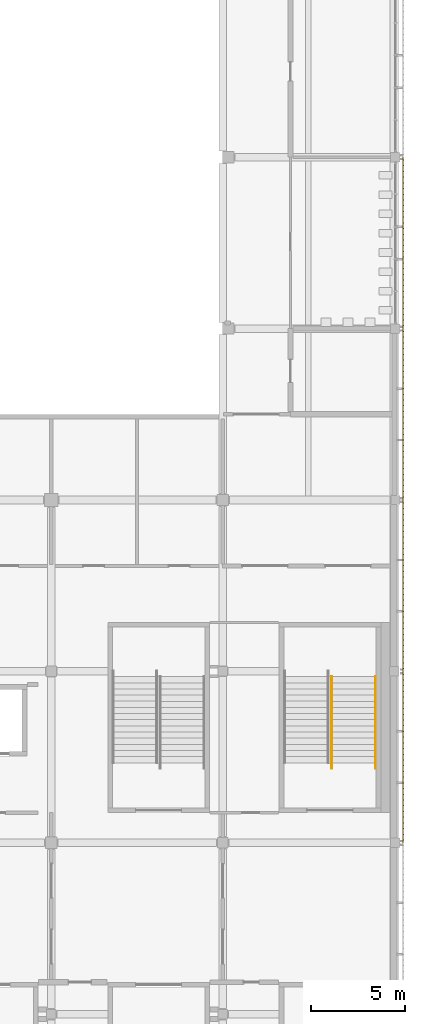
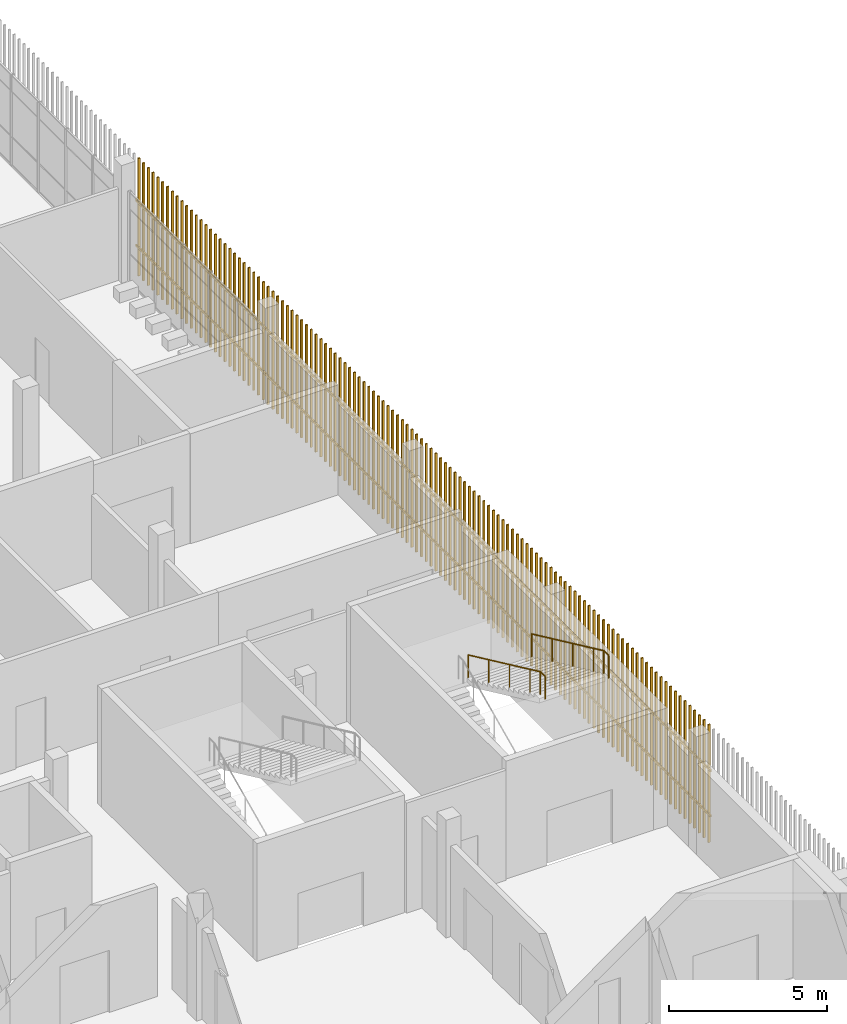
# One storey, part 118 of 124: 4 shading devices, 2 railings.
"""IFC4 building model written with IfcOpenShell, lengths in metres."""

from ifc_helpers import new_model, si_unit, direction, frame, origin, origin_2d, place, context, subcontext, project, spatial, rectangle, circle, extrude, material, type_object, element, save


model = new_model("IFC4")

# Units and contexts
model_context = context("Model", 3, precision=1e-05, world=origin(), true_north=direction((0.0, 1.0)))
body_context = subcontext(model_context, "Body", "Model", "MODEL_VIEW")
ifc_project = project(units=[si_unit("LENGTHUNIT", "METRE"), si_unit("AREAUNIT", "SQUARE_METRE"), si_unit("VOLUMEUNIT", "CUBIC_METRE"), si_unit("PLANEANGLEUNIT", "RADIAN"), si_unit("MASSUNIT", "GRAM", prefix="KILO")], contexts=[model_context])

# Site, building, storey
site_placement = place(None, origin())
site = spatial("IfcSite", under=ifc_project, at=site_placement, CompositionType="ELEMENT")
building_placement = place(site_placement, origin())
building = spatial("IfcBuilding", under=site, at=building_placement, Name="Shirokan Park Arena", CompositionType="ELEMENT")
storey_placement = place(building_placement, frame((0.0, 0.0, 20.02001953125)))
storey = spatial("IfcBuildingStorey", under=building, at=storey_placement, Name="L04", CompositionType="ELEMENT", Elevation=20.02001953125)

# Railings
ifc_material_1 = material(Name="Stainless steel", Category="steel")
railing_type = type_object("IfcRailingType", Name="Stair handrail 900", PredefinedType="HANDRAIL", material=ifc_material_1)
railing_1_placement = place(storey_placement, frame((142.2900390625, 27.023681640625, 2.4267578125)))
element("IfcRailing", 1, at=railing_1_placement, inside=storey, type_object=railing_type, Name="Handrail Exit Stair 2.E L04 to L05", PredefinedType="HANDRAIL", context=body_context, shape_type="SweptSolid", body=[
    extrude(circle(Radius=0.02392578125, at=origin_2d()), frame((0.0, 0.0, 0.8759765625), z_axis=(0.0, -0.907064445915, 0.420991794405), x_axis=(1.0, 0.0, 0.0)), (0.0, 0.0, 1.0), 1.4404296875),
    extrude(circle(Radius=0.02392578125, at=origin_2d()), frame((0.0, -1.306640625, 1.482421875), z_axis=(0.0, -0.907029769225, 0.421066500378), x_axis=(1.0, 0.0, 0.0)), (0.0, 0.0, 1.0), 1.44091796875),
    extrude(circle(Radius=0.02392578125, at=origin_2d()), frame((0.0, -2.613525390625, 2.0888671875), z_axis=(0.0, -0.906999720516, 0.421131222998), x_axis=(1.0, 0.0, 0.0)), (0.0, 0.0, 1.0), 1.440673828125),
    extrude(circle(Radius=0.02392578125, at=origin_2d()), frame((0.0, -3.920166015625, 2.69580078125), z_axis=(0.0, -0.906995101989, 0.421141169881), x_axis=(1.0, 0.0, 0.0)), (0.0, 0.0, 1.0), 0.720703125),
    extrude(circle(Radius=0.02392578125, at=origin_2d()), frame((0.0, -4.57373046875, 2.9990234375), z_axis=(0.0, -1.0, 0.0), x_axis=(1.0, 0.0, 0.0)), (0.0, 0.0, 1.0), 0.300048828125),
    extrude(circle(Radius=0.02099609375, at=origin_2d()), origin(), (0.0, 0.0, 1.0), 0.851806640625),
    extrude(circle(Radius=0.02099609375, at=origin_2d()), frame((0.0, -1.306640625, 0.6064453125)), (0.0, 0.0, 1.0), 0.851806640625),
    extrude(circle(Radius=0.02099609375, at=origin_2d()), frame((0.0, -2.613525390625, 1.213134765625)), (0.0, 0.0, 1.0), 0.851806640625),
    extrude(circle(Radius=0.02099609375, at=origin_2d()), frame((0.0, -3.920166015625, 1.81982421875)), (0.0, 0.0, 1.0), 0.851806640625),
    extrude(circle(Radius=0.02099609375, at=origin_2d()), frame((0.0, -4.57373046875, 2.123291015625)), (0.0, 0.0, 1.0), 0.851806640625),
    extrude(circle(Radius=0.02099609375, at=origin_2d()), frame((0.0, -4.873779296875, 2.123291015625)), (0.0, 0.0, 1.0), 0.851806640625),
])
railing_2_placement = place(storey_placement, frame((144.610107421875, 27.023681640625, 2.4267578125)))
element("IfcRailing", 2, at=railing_2_placement, inside=storey, type_object=railing_type, Name="Handrail Exit Stair 2.E L04 to L05", PredefinedType="HANDRAIL", context=body_context, shape_type="SweptSolid", body=[
    extrude(circle(Radius=0.02392578125, at=origin_2d()), frame((0.0, 0.0, 0.8759765625), z_axis=(0.0, -0.907064445915, 0.420991794405), x_axis=(1.0, 0.0, 0.0)), (0.0, 0.0, 1.0), 1.4404296875),
    extrude(circle(Radius=0.02392578125, at=origin_2d()), frame((0.0, -1.306640625, 1.482421875), z_axis=(0.0, -0.907029769225, 0.421066500378), x_axis=(1.0, 0.0, 0.0)), (0.0, 0.0, 1.0), 1.44091796875),
    extrude(circle(Radius=0.02392578125, at=origin_2d()), frame((0.0, -2.613525390625, 2.0888671875), z_axis=(0.0, -0.906999720516, 0.421131222998), x_axis=(1.0, 0.0, 0.0)), (0.0, 0.0, 1.0), 1.440673828125),
    extrude(circle(Radius=0.02392578125, at=origin_2d()), frame((0.0, -3.920166015625, 2.69580078125), z_axis=(0.0, -0.906995101989, 0.421141169881), x_axis=(1.0, 0.0, 0.0)), (0.0, 0.0, 1.0), 0.720703125),
    extrude(circle(Radius=0.02392578125, at=origin_2d()), frame((0.0, -4.57373046875, 2.9990234375), z_axis=(0.0, -1.0, 0.0), x_axis=(1.0, 0.0, 0.0)), (0.0, 0.0, 1.0), 0.300048828125),
    extrude(circle(Radius=0.02099609375, at=origin_2d()), origin(), (0.0, 0.0, 1.0), 0.851806640625),
    extrude(circle(Radius=0.02099609375, at=origin_2d()), frame((0.0, -1.306640625, 0.6064453125)), (0.0, 0.0, 1.0), 0.851806640625),
    extrude(circle(Radius=0.02099609375, at=origin_2d()), frame((0.0, -2.613525390625, 1.213134765625)), (0.0, 0.0, 1.0), 0.851806640625),
    extrude(circle(Radius=0.02099609375, at=origin_2d()), frame((0.0, -3.920166015625, 1.81982421875)), (0.0, 0.0, 1.0), 0.851806640625),
    extrude(circle(Radius=0.02099609375, at=origin_2d()), frame((0.0, -4.57373046875, 2.123291015625)), (0.0, 0.0, 1.0), 0.851806640625),
    extrude(circle(Radius=0.02099609375, at=origin_2d()), frame((0.0, -4.873779296875, 2.123291015625)), (0.0, 0.0, 1.0), 0.851806640625),
])

# Shading devices
ifc_material_2 = material(Name="Timber louvre veil (cedar)", Category="wood")
shading_device_type = type_object("IfcShadingDeviceType", Name="Timber louvre veil panel", PredefinedType="JALOUSIE", material=ifc_material_2)
shading_device_1_placement = place(storey_placement, origin())
element("IfcShadingDevice", 3, at=shading_device_1_placement, inside=storey, type_object=shading_device_type, Name="Timber louvre veil east bay 3 L04", PredefinedType="JALOUSIE", context=body_context, shape_type="SweptSolid", body=[
    extrude(rectangle(XDim=0.050048828125, YDim=0.080078125, at=origin_2d()), frame((146.0849609375, 18.3515625, 0.0), z_axis=(0.0, 0.0, 1.0), x_axis=(0.0, 1.0, 0.0)), (0.0, 0.0, 1.0), 4.550048828125),
    extrude(rectangle(XDim=0.050048828125, YDim=0.080078125, at=origin_2d()), frame((146.0849609375, 18.655029296875, 0.0), z_axis=(0.0, 0.0, 1.0), x_axis=(0.0, 1.0, 0.0)), (0.0, 0.0, 1.0), 4.550048828125),
    extrude(rectangle(XDim=0.050048828125, YDim=0.080078125, at=origin_2d()), frame((146.0849609375, 18.958251953125, 0.0), z_axis=(0.0, 0.0, 1.0), x_axis=(0.0, 1.0, 0.0)), (0.0, 0.0, 1.0), 4.550048828125),
    extrude(rectangle(XDim=0.050048828125, YDim=0.080078125, at=origin_2d()), frame((146.0849609375, 19.26171875, 0.0), z_axis=(0.0, 0.0, 1.0), x_axis=(0.0, 1.0, 0.0)), (0.0, 0.0, 1.0), 4.550048828125),
    extrude(rectangle(XDim=0.050048828125, YDim=0.080078125, at=origin_2d()), frame((146.0849609375, 19.56494140625, 0.0), z_axis=(0.0, 0.0, 1.0), x_axis=(0.0, 1.0, 0.0)), (0.0, 0.0, 1.0), 4.550048828125),
    extrude(rectangle(XDim=0.050048828125, YDim=0.080078125, at=origin_2d()), frame((146.0849609375, 19.868408203125, 0.0), z_axis=(0.0, 0.0, 1.0), x_axis=(0.0, 1.0, 0.0)), (0.0, 0.0, 1.0), 4.550048828125),
    extrude(rectangle(XDim=0.050048828125, YDim=0.080078125, at=origin_2d()), frame((146.0849609375, 20.171630859375, 0.0), z_axis=(0.0, 0.0, 1.0), x_axis=(0.0, 1.0, 0.0)), (0.0, 0.0, 1.0), 4.550048828125),
    extrude(rectangle(XDim=0.050048828125, YDim=0.080078125, at=origin_2d()), frame((146.0849609375, 20.47509765625, 0.0), z_axis=(0.0, 0.0, 1.0), x_axis=(0.0, 1.0, 0.0)), (0.0, 0.0, 1.0), 4.550048828125),
    extrude(rectangle(XDim=0.050048828125, YDim=0.080078125, at=origin_2d()), frame((146.0849609375, 20.7783203125, 0.0), z_axis=(0.0, 0.0, 1.0), x_axis=(0.0, 1.0, 0.0)), (0.0, 0.0, 1.0), 4.550048828125),
    extrude(rectangle(XDim=0.050048828125, YDim=0.080078125, at=origin_2d()), frame((146.0849609375, 21.081787109375, 0.0), z_axis=(0.0, 0.0, 1.0), x_axis=(0.0, 1.0, 0.0)), (0.0, 0.0, 1.0), 4.550048828125),
    extrude(rectangle(XDim=0.050048828125, YDim=0.080078125, at=origin_2d()), frame((146.0849609375, 21.385009765625, 0.0), z_axis=(0.0, 0.0, 1.0), x_axis=(0.0, 1.0, 0.0)), (0.0, 0.0, 1.0), 4.550048828125),
    extrude(rectangle(XDim=0.050048828125, YDim=0.080078125, at=origin_2d()), frame((146.0849609375, 21.688232421875, 0.0), z_axis=(0.0, 0.0, 1.0), x_axis=(0.0, 1.0, 0.0)), (0.0, 0.0, 1.0), 4.550048828125),
    extrude(rectangle(XDim=0.050048828125, YDim=0.080078125, at=origin_2d()), frame((146.0849609375, 21.99169921875, 0.0), z_axis=(0.0, 0.0, 1.0), x_axis=(0.0, 1.0, 0.0)), (0.0, 0.0, 1.0), 4.550048828125),
    extrude(rectangle(XDim=0.050048828125, YDim=0.080078125, at=origin_2d()), frame((146.0849609375, 22.294921875, 0.0), z_axis=(0.0, 0.0, 1.0), x_axis=(0.0, 1.0, 0.0)), (0.0, 0.0, 1.0), 4.550048828125),
    extrude(rectangle(XDim=0.050048828125, YDim=0.080078125, at=origin_2d()), frame((146.0849609375, 22.598388671875, 0.0), z_axis=(0.0, 0.0, 1.0), x_axis=(0.0, 1.0, 0.0)), (0.0, 0.0, 1.0), 4.550048828125),
    extrude(rectangle(XDim=0.050048828125, YDim=0.080078125, at=origin_2d()), frame((146.0849609375, 22.901611328125, 0.0), z_axis=(0.0, 0.0, 1.0), x_axis=(0.0, 1.0, 0.0)), (0.0, 0.0, 1.0), 4.550048828125),
    extrude(rectangle(XDim=0.050048828125, YDim=0.080078125, at=origin_2d()), frame((146.0849609375, 23.205078125, 0.0), z_axis=(0.0, 0.0, 1.0), x_axis=(0.0, 1.0, 0.0)), (0.0, 0.0, 1.0), 4.550048828125),
    extrude(rectangle(XDim=0.050048828125, YDim=0.080078125, at=origin_2d()), frame((146.0849609375, 23.50830078125, 0.0), z_axis=(0.0, 0.0, 1.0), x_axis=(0.0, 1.0, 0.0)), (0.0, 0.0, 1.0), 4.550048828125),
    extrude(rectangle(XDim=0.050048828125, YDim=0.080078125, at=origin_2d()), frame((146.0849609375, 23.811767578125, 0.0), z_axis=(0.0, 0.0, 1.0), x_axis=(0.0, 1.0, 0.0)), (0.0, 0.0, 1.0), 4.550048828125),
    extrude(rectangle(XDim=0.050048828125, YDim=0.080078125, at=origin_2d()), frame((146.0849609375, 24.114990234375, 0.0), z_axis=(0.0, 0.0, 1.0), x_axis=(0.0, 1.0, 0.0)), (0.0, 0.0, 1.0), 4.550048828125),
    extrude(rectangle(XDim=0.050048828125, YDim=0.080078125, at=origin_2d()), frame((146.0849609375, 24.418212890625, 0.0), z_axis=(0.0, 0.0, 1.0), x_axis=(0.0, 1.0, 0.0)), (0.0, 0.0, 1.0), 4.550048828125),
    extrude(rectangle(XDim=0.050048828125, YDim=0.080078125, at=origin_2d()), frame((146.0849609375, 24.7216796875, 0.0), z_axis=(0.0, 0.0, 1.0), x_axis=(0.0, 1.0, 0.0)), (0.0, 0.0, 1.0), 4.550048828125),
    extrude(rectangle(XDim=0.050048828125, YDim=0.080078125, at=origin_2d()), frame((146.0849609375, 25.02490234375, 0.0), z_axis=(0.0, 0.0, 1.0), x_axis=(0.0, 1.0, 0.0)), (0.0, 0.0, 1.0), 4.550048828125),
    extrude(rectangle(XDim=0.050048828125, YDim=0.080078125, at=origin_2d()), frame((146.0849609375, 25.328369140625, 0.0), z_axis=(0.0, 0.0, 1.0), x_axis=(0.0, 1.0, 0.0)), (0.0, 0.0, 1.0), 4.550048828125),
    extrude(rectangle(XDim=0.050048828125, YDim=0.080078125, at=origin_2d()), frame((146.0849609375, 25.631591796875, 0.0), z_axis=(0.0, 0.0, 1.0), x_axis=(0.0, 1.0, 0.0)), (0.0, 0.0, 1.0), 4.550048828125),
    extrude(rectangle(XDim=0.050048828125, YDim=0.080078125, at=origin_2d()), frame((146.0849609375, 25.93505859375, 0.0), z_axis=(0.0, 0.0, 1.0), x_axis=(0.0, 1.0, 0.0)), (0.0, 0.0, 1.0), 4.550048828125),
    extrude(rectangle(XDim=0.050048828125, YDim=0.080078125, at=origin_2d()), frame((146.0849609375, 26.23828125, 0.0), z_axis=(0.0, 0.0, 1.0), x_axis=(0.0, 1.0, 0.0)), (0.0, 0.0, 1.0), 4.550048828125),
    extrude(rectangle(XDim=0.050048828125, YDim=0.080078125, at=origin_2d()), frame((146.0849609375, 26.541748046875, 0.0), z_axis=(0.0, 0.0, 1.0), x_axis=(0.0, 1.0, 0.0)), (0.0, 0.0, 1.0), 4.550048828125),
    extrude(rectangle(XDim=0.050048828125, YDim=0.080078125, at=origin_2d()), frame((146.0849609375, 26.844970703125, 0.0), z_axis=(0.0, 0.0, 1.0), x_axis=(0.0, 1.0, 0.0)), (0.0, 0.0, 1.0), 4.550048828125),
    extrude(rectangle(XDim=0.050048828125, YDim=0.080078125, at=origin_2d()), frame((146.0849609375, 27.1484375, 0.0), z_axis=(0.0, 0.0, 1.0), x_axis=(0.0, 1.0, 0.0)), (0.0, 0.0, 1.0), 4.550048828125),
    extrude(rectangle(XDim=9.10009765625, YDim=0.050048828125, at=origin_2d()), frame((146.070068359375, 22.75, 1.06005859375), z_axis=(0.0, 0.0, 1.0), x_axis=(0.0, 1.0, 0.0)), (0.0, 0.0, 1.0), 0.080078125),
    extrude(rectangle(XDim=9.10009765625, YDim=0.050048828125, at=origin_2d()), frame((146.070068359375, 22.75, 2.81005859375), z_axis=(0.0, 0.0, 1.0), x_axis=(0.0, 1.0, 0.0)), (0.0, 0.0, 1.0), 0.080078125),
])
shading_device_2_placement = place(storey_placement, origin())
element("IfcShadingDevice", 4, at=shading_device_2_placement, inside=storey, type_object=shading_device_type, Name="Timber louvre veil east bay 4 L04", PredefinedType="JALOUSIE", context=body_context, shape_type="SweptSolid", body=[
    extrude(rectangle(XDim=0.050048828125, YDim=0.080078125, at=origin_2d()), frame((146.0849609375, 27.45166015625, 0.0), z_axis=(0.0, 0.0, 1.0), x_axis=(0.0, 1.0, 0.0)), (0.0, 0.0, 1.0), 4.550048828125),
    extrude(rectangle(XDim=0.050048828125, YDim=0.080078125, at=origin_2d()), frame((146.0849609375, 27.7548828125, 0.0), z_axis=(0.0, 0.0, 1.0), x_axis=(0.0, 1.0, 0.0)), (0.0, 0.0, 1.0), 4.550048828125),
    extrude(rectangle(XDim=0.050048828125, YDim=0.080078125, at=origin_2d()), frame((146.0849609375, 28.058349609375, 0.0), z_axis=(0.0, 0.0, 1.0), x_axis=(0.0, 1.0, 0.0)), (0.0, 0.0, 1.0), 4.550048828125),
    extrude(rectangle(XDim=0.050048828125, YDim=0.080078125, at=origin_2d()), frame((146.0849609375, 28.361572265625, 0.0), z_axis=(0.0, 0.0, 1.0), x_axis=(0.0, 1.0, 0.0)), (0.0, 0.0, 1.0), 4.550048828125),
    extrude(rectangle(XDim=0.050048828125, YDim=0.080078125, at=origin_2d()), frame((146.0849609375, 28.6650390625, 0.0), z_axis=(0.0, 0.0, 1.0), x_axis=(0.0, 1.0, 0.0)), (0.0, 0.0, 1.0), 4.550048828125),
    extrude(rectangle(XDim=0.050048828125, YDim=0.080078125, at=origin_2d()), frame((146.0849609375, 28.96826171875, 0.0), z_axis=(0.0, 0.0, 1.0), x_axis=(0.0, 1.0, 0.0)), (0.0, 0.0, 1.0), 4.550048828125),
    extrude(rectangle(XDim=0.050048828125, YDim=0.080078125, at=origin_2d()), frame((146.0849609375, 29.271728515625, 0.0), z_axis=(0.0, 0.0, 1.0), x_axis=(0.0, 1.0, 0.0)), (0.0, 0.0, 1.0), 4.550048828125),
    extrude(rectangle(XDim=0.050048828125, YDim=0.080078125, at=origin_2d()), frame((146.0849609375, 29.574951171875, 0.0), z_axis=(0.0, 0.0, 1.0), x_axis=(0.0, 1.0, 0.0)), (0.0, 0.0, 1.0), 4.550048828125),
    extrude(rectangle(XDim=0.050048828125, YDim=0.080078125, at=origin_2d()), frame((146.0849609375, 29.87841796875, 0.0), z_axis=(0.0, 0.0, 1.0), x_axis=(0.0, 1.0, 0.0)), (0.0, 0.0, 1.0), 4.550048828125),
    extrude(rectangle(XDim=0.050048828125, YDim=0.080078125, at=origin_2d()), frame((146.0849609375, 30.181640625, 0.0), z_axis=(0.0, 0.0, 1.0), x_axis=(0.0, 1.0, 0.0)), (0.0, 0.0, 1.0), 4.550048828125),
    extrude(rectangle(XDim=0.050048828125, YDim=0.080078125, at=origin_2d()), frame((146.0849609375, 30.485107421875, 0.0), z_axis=(0.0, 0.0, 1.0), x_axis=(0.0, 1.0, 0.0)), (0.0, 0.0, 1.0), 4.550048828125),
    extrude(rectangle(XDim=0.050048828125, YDim=0.080078125, at=origin_2d()), frame((146.0849609375, 30.788330078125, 0.0), z_axis=(0.0, 0.0, 1.0), x_axis=(0.0, 1.0, 0.0)), (0.0, 0.0, 1.0), 4.550048828125),
    extrude(rectangle(XDim=0.050048828125, YDim=0.080078125, at=origin_2d()), frame((146.0849609375, 31.091552734375, 0.0), z_axis=(0.0, 0.0, 1.0), x_axis=(0.0, 1.0, 0.0)), (0.0, 0.0, 1.0), 4.550048828125),
    extrude(rectangle(XDim=0.050048828125, YDim=0.080078125, at=origin_2d()), frame((146.0849609375, 31.39501953125, 0.0), z_axis=(0.0, 0.0, 1.0), x_axis=(0.0, 1.0, 0.0)), (0.0, 0.0, 1.0), 4.550048828125),
    extrude(rectangle(XDim=0.050048828125, YDim=0.080078125, at=origin_2d()), frame((146.0849609375, 31.6982421875, 0.0), z_axis=(0.0, 0.0, 1.0), x_axis=(0.0, 1.0, 0.0)), (0.0, 0.0, 1.0), 4.550048828125),
    extrude(rectangle(XDim=0.050048828125, YDim=0.080078125, at=origin_2d()), frame((146.0849609375, 32.001708984375, 0.0), z_axis=(0.0, 0.0, 1.0), x_axis=(0.0, 1.0, 0.0)), (0.0, 0.0, 1.0), 4.550048828125),
    extrude(rectangle(XDim=0.050048828125, YDim=0.080078125, at=origin_2d()), frame((146.0849609375, 32.304931640625, 0.0), z_axis=(0.0, 0.0, 1.0), x_axis=(0.0, 1.0, 0.0)), (0.0, 0.0, 1.0), 4.550048828125),
    extrude(rectangle(XDim=0.050048828125, YDim=0.080078125, at=origin_2d()), frame((146.0849609375, 32.6083984375, 0.0), z_axis=(0.0, 0.0, 1.0), x_axis=(0.0, 1.0, 0.0)), (0.0, 0.0, 1.0), 4.550048828125),
    extrude(rectangle(XDim=0.050048828125, YDim=0.080078125, at=origin_2d()), frame((146.0849609375, 32.91162109375, 0.0), z_axis=(0.0, 0.0, 1.0), x_axis=(0.0, 1.0, 0.0)), (0.0, 0.0, 1.0), 4.550048828125),
    extrude(rectangle(XDim=0.050048828125, YDim=0.080078125, at=origin_2d()), frame((146.0849609375, 33.215087890625, 0.0), z_axis=(0.0, 0.0, 1.0), x_axis=(0.0, 1.0, 0.0)), (0.0, 0.0, 1.0), 4.550048828125),
    extrude(rectangle(XDim=0.050048828125, YDim=0.080078125, at=origin_2d()), frame((146.0849609375, 33.518310546875, 0.0), z_axis=(0.0, 0.0, 1.0), x_axis=(0.0, 1.0, 0.0)), (0.0, 0.0, 1.0), 4.550048828125),
    extrude(rectangle(XDim=0.050048828125, YDim=0.080078125, at=origin_2d()), frame((146.0849609375, 33.82177734375, 0.0), z_axis=(0.0, 0.0, 1.0), x_axis=(0.0, 1.0, 0.0)), (0.0, 0.0, 1.0), 4.550048828125),
    extrude(rectangle(XDim=0.050048828125, YDim=0.080078125, at=origin_2d()), frame((146.0849609375, 34.125, 0.0), z_axis=(0.0, 0.0, 1.0), x_axis=(0.0, 1.0, 0.0)), (0.0, 0.0, 1.0), 4.550048828125),
    extrude(rectangle(XDim=0.050048828125, YDim=0.080078125, at=origin_2d()), frame((146.0849609375, 34.42822265625, 0.0), z_axis=(0.0, 0.0, 1.0), x_axis=(0.0, 1.0, 0.0)), (0.0, 0.0, 1.0), 4.550048828125),
    extrude(rectangle(XDim=0.050048828125, YDim=0.080078125, at=origin_2d()), frame((146.0849609375, 34.731689453125, 0.0), z_axis=(0.0, 0.0, 1.0), x_axis=(0.0, 1.0, 0.0)), (0.0, 0.0, 1.0), 4.550048828125),
    extrude(rectangle(XDim=0.050048828125, YDim=0.080078125, at=origin_2d()), frame((146.0849609375, 35.034912109375, 0.0), z_axis=(0.0, 0.0, 1.0), x_axis=(0.0, 1.0, 0.0)), (0.0, 0.0, 1.0), 4.550048828125),
    extrude(rectangle(XDim=0.050048828125, YDim=0.080078125, at=origin_2d()), frame((146.0849609375, 35.33837890625, 0.0), z_axis=(0.0, 0.0, 1.0), x_axis=(0.0, 1.0, 0.0)), (0.0, 0.0, 1.0), 4.550048828125),
    extrude(rectangle(XDim=0.050048828125, YDim=0.080078125, at=origin_2d()), frame((146.0849609375, 35.6416015625, 0.0), z_axis=(0.0, 0.0, 1.0), x_axis=(0.0, 1.0, 0.0)), (0.0, 0.0, 1.0), 4.550048828125),
    extrude(rectangle(XDim=0.050048828125, YDim=0.080078125, at=origin_2d()), frame((146.0849609375, 35.945068359375, 0.0), z_axis=(0.0, 0.0, 1.0), x_axis=(0.0, 1.0, 0.0)), (0.0, 0.0, 1.0), 4.550048828125),
    extrude(rectangle(XDim=0.050048828125, YDim=0.080078125, at=origin_2d()), frame((146.0849609375, 36.248291015625, 0.0), z_axis=(0.0, 0.0, 1.0), x_axis=(0.0, 1.0, 0.0)), (0.0, 0.0, 1.0), 4.550048828125),
    extrude(rectangle(XDim=9.10009765625, YDim=0.050048828125, at=origin_2d()), frame((146.070068359375, 31.85009765625, 1.06005859375), z_axis=(0.0, 0.0, 1.0), x_axis=(0.0, 1.0, 0.0)), (0.0, 0.0, 1.0), 0.080078125),
    extrude(rectangle(XDim=9.10009765625, YDim=0.050048828125, at=origin_2d()), frame((146.070068359375, 31.85009765625, 2.81005859375), z_axis=(0.0, 0.0, 1.0), x_axis=(0.0, 1.0, 0.0)), (0.0, 0.0, 1.0), 0.080078125),
])
shading_device_3_placement = place(storey_placement, origin())
element("IfcShadingDevice", 5, at=shading_device_3_placement, inside=storey, type_object=shading_device_type, Name="Timber louvre veil east bay 5 L04", PredefinedType="JALOUSIE", context=body_context, shape_type="SweptSolid", body=[
    extrude(rectangle(XDim=0.050048828125, YDim=0.080078125, at=origin_2d()), frame((146.0849609375, 36.5517578125, 0.0), z_axis=(0.0, 0.0, 1.0), x_axis=(0.0, 1.0, 0.0)), (0.0, 0.0, 1.0), 4.550048828125),
    extrude(rectangle(XDim=0.050048828125, YDim=0.080078125, at=origin_2d()), frame((146.0849609375, 36.85498046875, 0.0), z_axis=(0.0, 0.0, 1.0), x_axis=(0.0, 1.0, 0.0)), (0.0, 0.0, 1.0), 4.550048828125),
    extrude(rectangle(XDim=0.050048828125, YDim=0.080078125, at=origin_2d()), frame((146.0849609375, 37.158447265625, 0.0), z_axis=(0.0, 0.0, 1.0), x_axis=(0.0, 1.0, 0.0)), (0.0, 0.0, 1.0), 4.550048828125),
    extrude(rectangle(XDim=0.050048828125, YDim=0.080078125, at=origin_2d()), frame((146.0849609375, 37.461669921875, 0.0), z_axis=(0.0, 0.0, 1.0), x_axis=(0.0, 1.0, 0.0)), (0.0, 0.0, 1.0), 4.550048828125),
    extrude(rectangle(XDim=0.050048828125, YDim=0.080078125, at=origin_2d()), frame((146.0849609375, 37.764892578125, 0.0), z_axis=(0.0, 0.0, 1.0), x_axis=(0.0, 1.0, 0.0)), (0.0, 0.0, 1.0), 4.550048828125),
    extrude(rectangle(XDim=0.050048828125, YDim=0.080078125, at=origin_2d()), frame((146.0849609375, 38.068359375, 0.0), z_axis=(0.0, 0.0, 1.0), x_axis=(0.0, 1.0, 0.0)), (0.0, 0.0, 1.0), 4.550048828125),
    extrude(rectangle(XDim=0.050048828125, YDim=0.080078125, at=origin_2d()), frame((146.0849609375, 38.37158203125, 0.0), z_axis=(0.0, 0.0, 1.0), x_axis=(0.0, 1.0, 0.0)), (0.0, 0.0, 1.0), 4.550048828125),
    extrude(rectangle(XDim=0.050048828125, YDim=0.080078125, at=origin_2d()), frame((146.0849609375, 38.675048828125, 0.0), z_axis=(0.0, 0.0, 1.0), x_axis=(0.0, 1.0, 0.0)), (0.0, 0.0, 1.0), 4.550048828125),
    extrude(rectangle(XDim=0.050048828125, YDim=0.080078125, at=origin_2d()), frame((146.0849609375, 38.978271484375, 0.0), z_axis=(0.0, 0.0, 1.0), x_axis=(0.0, 1.0, 0.0)), (0.0, 0.0, 1.0), 4.550048828125),
    extrude(rectangle(XDim=0.050048828125, YDim=0.080078125, at=origin_2d()), frame((146.0849609375, 39.28173828125, 0.0), z_axis=(0.0, 0.0, 1.0), x_axis=(0.0, 1.0, 0.0)), (0.0, 0.0, 1.0), 4.550048828125),
    extrude(rectangle(XDim=0.050048828125, YDim=0.080078125, at=origin_2d()), frame((146.0849609375, 39.5849609375, 0.0), z_axis=(0.0, 0.0, 1.0), x_axis=(0.0, 1.0, 0.0)), (0.0, 0.0, 1.0), 4.550048828125),
    extrude(rectangle(XDim=0.050048828125, YDim=0.080078125, at=origin_2d()), frame((146.0849609375, 39.888427734375, 0.0), z_axis=(0.0, 0.0, 1.0), x_axis=(0.0, 1.0, 0.0)), (0.0, 0.0, 1.0), 4.550048828125),
    extrude(rectangle(XDim=0.050048828125, YDim=0.080078125, at=origin_2d()), frame((146.0849609375, 40.191650390625, 0.0), z_axis=(0.0, 0.0, 1.0), x_axis=(0.0, 1.0, 0.0)), (0.0, 0.0, 1.0), 4.550048828125),
    extrude(rectangle(XDim=0.050048828125, YDim=0.080078125, at=origin_2d()), frame((146.0849609375, 40.4951171875, 0.0), z_axis=(0.0, 0.0, 1.0), x_axis=(0.0, 1.0, 0.0)), (0.0, 0.0, 1.0), 4.550048828125),
    extrude(rectangle(XDim=0.050048828125, YDim=0.080078125, at=origin_2d()), frame((146.0849609375, 40.79833984375, 0.0), z_axis=(0.0, 0.0, 1.0), x_axis=(0.0, 1.0, 0.0)), (0.0, 0.0, 1.0), 4.550048828125),
    extrude(rectangle(XDim=0.050048828125, YDim=0.080078125, at=origin_2d()), frame((146.0849609375, 41.1015625, 0.0), z_axis=(0.0, 0.0, 1.0), x_axis=(0.0, 1.0, 0.0)), (0.0, 0.0, 1.0), 4.550048828125),
    extrude(rectangle(XDim=0.050048828125, YDim=0.080078125, at=origin_2d()), frame((146.0849609375, 41.405029296875, 0.0), z_axis=(0.0, 0.0, 1.0), x_axis=(0.0, 1.0, 0.0)), (0.0, 0.0, 1.0), 4.550048828125),
    extrude(rectangle(XDim=0.050048828125, YDim=0.080078125, at=origin_2d()), frame((146.0849609375, 41.708251953125, 0.0), z_axis=(0.0, 0.0, 1.0), x_axis=(0.0, 1.0, 0.0)), (0.0, 0.0, 1.0), 4.550048828125),
    extrude(rectangle(XDim=0.050048828125, YDim=0.080078125, at=origin_2d()), frame((146.0849609375, 42.01171875, 0.0), z_axis=(0.0, 0.0, 1.0), x_axis=(0.0, 1.0, 0.0)), (0.0, 0.0, 1.0), 4.550048828125),
    extrude(rectangle(XDim=0.050048828125, YDim=0.080078125, at=origin_2d()), frame((146.0849609375, 42.31494140625, 0.0), z_axis=(0.0, 0.0, 1.0), x_axis=(0.0, 1.0, 0.0)), (0.0, 0.0, 1.0), 4.550048828125),
    extrude(rectangle(XDim=0.050048828125, YDim=0.080078125, at=origin_2d()), frame((146.0849609375, 42.618408203125, 0.0), z_axis=(0.0, 0.0, 1.0), x_axis=(0.0, 1.0, 0.0)), (0.0, 0.0, 1.0), 4.550048828125),
    extrude(rectangle(XDim=0.050048828125, YDim=0.080078125, at=origin_2d()), frame((146.0849609375, 42.921630859375, 0.0), z_axis=(0.0, 0.0, 1.0), x_axis=(0.0, 1.0, 0.0)), (0.0, 0.0, 1.0), 4.550048828125),
    extrude(rectangle(XDim=0.050048828125, YDim=0.080078125, at=origin_2d()), frame((146.0849609375, 43.22509765625, 0.0), z_axis=(0.0, 0.0, 1.0), x_axis=(0.0, 1.0, 0.0)), (0.0, 0.0, 1.0), 4.550048828125),
    extrude(rectangle(XDim=0.050048828125, YDim=0.080078125, at=origin_2d()), frame((146.0849609375, 43.5283203125, 0.0), z_axis=(0.0, 0.0, 1.0), x_axis=(0.0, 1.0, 0.0)), (0.0, 0.0, 1.0), 4.550048828125),
    extrude(rectangle(XDim=0.050048828125, YDim=0.080078125, at=origin_2d()), frame((146.0849609375, 43.831787109375, 0.0), z_axis=(0.0, 0.0, 1.0), x_axis=(0.0, 1.0, 0.0)), (0.0, 0.0, 1.0), 4.550048828125),
    extrude(rectangle(XDim=0.050048828125, YDim=0.080078125, at=origin_2d()), frame((146.0849609375, 44.135009765625, 0.0), z_axis=(0.0, 0.0, 1.0), x_axis=(0.0, 1.0, 0.0)), (0.0, 0.0, 1.0), 4.550048828125),
    extrude(rectangle(XDim=0.050048828125, YDim=0.080078125, at=origin_2d()), frame((146.0849609375, 44.438232421875, 0.0), z_axis=(0.0, 0.0, 1.0), x_axis=(0.0, 1.0, 0.0)), (0.0, 0.0, 1.0), 4.550048828125),
    extrude(rectangle(XDim=0.050048828125, YDim=0.080078125, at=origin_2d()), frame((146.0849609375, 44.74169921875, 0.0), z_axis=(0.0, 0.0, 1.0), x_axis=(0.0, 1.0, 0.0)), (0.0, 0.0, 1.0), 4.550048828125),
    extrude(rectangle(XDim=0.050048828125, YDim=0.080078125, at=origin_2d()), frame((146.0849609375, 45.044921875, 0.0), z_axis=(0.0, 0.0, 1.0), x_axis=(0.0, 1.0, 0.0)), (0.0, 0.0, 1.0), 4.550048828125),
    extrude(rectangle(XDim=0.050048828125, YDim=0.080078125, at=origin_2d()), frame((146.0849609375, 45.348388671875, 0.0), z_axis=(0.0, 0.0, 1.0), x_axis=(0.0, 1.0, 0.0)), (0.0, 0.0, 1.0), 4.550048828125),
    extrude(rectangle(XDim=9.10009765625, YDim=0.050048828125, at=origin_2d()), frame((146.070068359375, 40.949951171875, 1.06005859375), z_axis=(0.0, 0.0, 1.0), x_axis=(0.0, 1.0, 0.0)), (0.0, 0.0, 1.0), 0.080078125),
    extrude(rectangle(XDim=9.10009765625, YDim=0.050048828125, at=origin_2d()), frame((146.070068359375, 40.949951171875, 2.81005859375), z_axis=(0.0, 0.0, 1.0), x_axis=(0.0, 1.0, 0.0)), (0.0, 0.0, 1.0), 0.080078125),
])
shading_device_4_placement = place(storey_placement, origin())
element("IfcShadingDevice", 6, at=shading_device_4_placement, inside=storey, type_object=shading_device_type, Name="Timber louvre veil east bay 6 L04", PredefinedType="JALOUSIE", context=body_context, shape_type="SweptSolid", body=[
    extrude(rectangle(XDim=0.050048828125, YDim=0.080078125, at=origin_2d()), frame((146.0849609375, 45.651611328125, 0.0), z_axis=(0.0, 0.0, 1.0), x_axis=(0.0, 1.0, 0.0)), (0.0, 0.0, 1.0), 4.550048828125),
    extrude(rectangle(XDim=0.050048828125, YDim=0.080078125, at=origin_2d()), frame((146.0849609375, 45.955078125, 0.0), z_axis=(0.0, 0.0, 1.0), x_axis=(0.0, 1.0, 0.0)), (0.0, 0.0, 1.0), 4.550048828125),
    extrude(rectangle(XDim=0.050048828125, YDim=0.080078125, at=origin_2d()), frame((146.0849609375, 46.25830078125, 0.0), z_axis=(0.0, 0.0, 1.0), x_axis=(0.0, 1.0, 0.0)), (0.0, 0.0, 1.0), 4.550048828125),
    extrude(rectangle(XDim=0.050048828125, YDim=0.080078125, at=origin_2d()), frame((146.0849609375, 46.561767578125, 0.0), z_axis=(0.0, 0.0, 1.0), x_axis=(0.0, 1.0, 0.0)), (0.0, 0.0, 1.0), 4.550048828125),
    extrude(rectangle(XDim=0.050048828125, YDim=0.080078125, at=origin_2d()), frame((146.0849609375, 46.864990234375, 0.0), z_axis=(0.0, 0.0, 1.0), x_axis=(0.0, 1.0, 0.0)), (0.0, 0.0, 1.0), 4.550048828125),
    extrude(rectangle(XDim=0.050048828125, YDim=0.080078125, at=origin_2d()), frame((146.0849609375, 47.168212890625, 0.0), z_axis=(0.0, 0.0, 1.0), x_axis=(0.0, 1.0, 0.0)), (0.0, 0.0, 1.0), 4.550048828125),
    extrude(rectangle(XDim=0.050048828125, YDim=0.080078125, at=origin_2d()), frame((146.0849609375, 47.4716796875, 0.0), z_axis=(0.0, 0.0, 1.0), x_axis=(0.0, 1.0, 0.0)), (0.0, 0.0, 1.0), 4.550048828125),
    extrude(rectangle(XDim=0.050048828125, YDim=0.080078125, at=origin_2d()), frame((146.0849609375, 47.77490234375, 0.0), z_axis=(0.0, 0.0, 1.0), x_axis=(0.0, 1.0, 0.0)), (0.0, 0.0, 1.0), 4.550048828125),
    extrude(rectangle(XDim=0.050048828125, YDim=0.080078125, at=origin_2d()), frame((146.0849609375, 48.078369140625, 0.0), z_axis=(0.0, 0.0, 1.0), x_axis=(0.0, 1.0, 0.0)), (0.0, 0.0, 1.0), 4.550048828125),
    extrude(rectangle(XDim=0.050048828125, YDim=0.080078125, at=origin_2d()), frame((146.0849609375, 48.381591796875, 0.0), z_axis=(0.0, 0.0, 1.0), x_axis=(0.0, 1.0, 0.0)), (0.0, 0.0, 1.0), 4.550048828125),
    extrude(rectangle(XDim=0.050048828125, YDim=0.080078125, at=origin_2d()), frame((146.0849609375, 48.68505859375, 0.0), z_axis=(0.0, 0.0, 1.0), x_axis=(0.0, 1.0, 0.0)), (0.0, 0.0, 1.0), 4.550048828125),
    extrude(rectangle(XDim=0.050048828125, YDim=0.080078125, at=origin_2d()), frame((146.0849609375, 48.98828125, 0.0), z_axis=(0.0, 0.0, 1.0), x_axis=(0.0, 1.0, 0.0)), (0.0, 0.0, 1.0), 4.550048828125),
    extrude(rectangle(XDim=0.050048828125, YDim=0.080078125, at=origin_2d()), frame((146.0849609375, 49.291748046875, 0.0), z_axis=(0.0, 0.0, 1.0), x_axis=(0.0, 1.0, 0.0)), (0.0, 0.0, 1.0), 4.550048828125),
    extrude(rectangle(XDim=0.050048828125, YDim=0.080078125, at=origin_2d()), frame((146.0849609375, 49.594970703125, 0.0), z_axis=(0.0, 0.0, 1.0), x_axis=(0.0, 1.0, 0.0)), (0.0, 0.0, 1.0), 4.550048828125),
    extrude(rectangle(XDim=0.050048828125, YDim=0.080078125, at=origin_2d()), frame((146.0849609375, 49.8984375, 0.0), z_axis=(0.0, 0.0, 1.0), x_axis=(0.0, 1.0, 0.0)), (0.0, 0.0, 1.0), 4.550048828125),
    extrude(rectangle(XDim=0.050048828125, YDim=0.080078125, at=origin_2d()), frame((146.0849609375, 50.20166015625, 0.0), z_axis=(0.0, 0.0, 1.0), x_axis=(0.0, 1.0, 0.0)), (0.0, 0.0, 1.0), 4.550048828125),
    extrude(rectangle(XDim=0.050048828125, YDim=0.080078125, at=origin_2d()), frame((146.0849609375, 50.5048828125, 0.0), z_axis=(0.0, 0.0, 1.0), x_axis=(0.0, 1.0, 0.0)), (0.0, 0.0, 1.0), 4.550048828125),
    extrude(rectangle(XDim=0.050048828125, YDim=0.080078125, at=origin_2d()), frame((146.0849609375, 50.808349609375, 0.0), z_axis=(0.0, 0.0, 1.0), x_axis=(0.0, 1.0, 0.0)), (0.0, 0.0, 1.0), 4.550048828125),
    extrude(rectangle(XDim=0.050048828125, YDim=0.080078125, at=origin_2d()), frame((146.0849609375, 51.111572265625, 0.0), z_axis=(0.0, 0.0, 1.0), x_axis=(0.0, 1.0, 0.0)), (0.0, 0.0, 1.0), 4.550048828125),
    extrude(rectangle(XDim=0.050048828125, YDim=0.080078125, at=origin_2d()), frame((146.0849609375, 51.4150390625, 0.0), z_axis=(0.0, 0.0, 1.0), x_axis=(0.0, 1.0, 0.0)), (0.0, 0.0, 1.0), 4.550048828125),
    extrude(rectangle(XDim=0.050048828125, YDim=0.080078125, at=origin_2d()), frame((146.0849609375, 51.71826171875, 0.0), z_axis=(0.0, 0.0, 1.0), x_axis=(0.0, 1.0, 0.0)), (0.0, 0.0, 1.0), 4.550048828125),
    extrude(rectangle(XDim=0.050048828125, YDim=0.080078125, at=origin_2d()), frame((146.0849609375, 52.021728515625, 0.0), z_axis=(0.0, 0.0, 1.0), x_axis=(0.0, 1.0, 0.0)), (0.0, 0.0, 1.0), 4.550048828125),
    extrude(rectangle(XDim=0.050048828125, YDim=0.080078125, at=origin_2d()), frame((146.0849609375, 52.324951171875, 0.0), z_axis=(0.0, 0.0, 1.0), x_axis=(0.0, 1.0, 0.0)), (0.0, 0.0, 1.0), 4.550048828125),
    extrude(rectangle(XDim=0.050048828125, YDim=0.080078125, at=origin_2d()), frame((146.0849609375, 52.62841796875, 0.0), z_axis=(0.0, 0.0, 1.0), x_axis=(0.0, 1.0, 0.0)), (0.0, 0.0, 1.0), 4.550048828125),
    extrude(rectangle(XDim=0.050048828125, YDim=0.080078125, at=origin_2d()), frame((146.0849609375, 52.931640625, 0.0), z_axis=(0.0, 0.0, 1.0), x_axis=(0.0, 1.0, 0.0)), (0.0, 0.0, 1.0), 4.550048828125),
    extrude(rectangle(XDim=0.050048828125, YDim=0.080078125, at=origin_2d()), frame((146.0849609375, 53.235107421875, 0.0), z_axis=(0.0, 0.0, 1.0), x_axis=(0.0, 1.0, 0.0)), (0.0, 0.0, 1.0), 4.550048828125),
    extrude(rectangle(XDim=0.050048828125, YDim=0.080078125, at=origin_2d()), frame((146.0849609375, 53.538330078125, 0.0), z_axis=(0.0, 0.0, 1.0), x_axis=(0.0, 1.0, 0.0)), (0.0, 0.0, 1.0), 4.550048828125),
    extrude(rectangle(XDim=0.050048828125, YDim=0.080078125, at=origin_2d()), frame((146.0849609375, 53.841552734375, 0.0), z_axis=(0.0, 0.0, 1.0), x_axis=(0.0, 1.0, 0.0)), (0.0, 0.0, 1.0), 4.550048828125),
    extrude(rectangle(XDim=0.050048828125, YDim=0.080078125, at=origin_2d()), frame((146.0849609375, 54.14501953125, 0.0), z_axis=(0.0, 0.0, 1.0), x_axis=(0.0, 1.0, 0.0)), (0.0, 0.0, 1.0), 4.550048828125),
    extrude(rectangle(XDim=0.050048828125, YDim=0.080078125, at=origin_2d()), frame((146.0849609375, 54.4482421875, 0.0), z_axis=(0.0, 0.0, 1.0), x_axis=(0.0, 1.0, 0.0)), (0.0, 0.0, 1.0), 4.550048828125),
    extrude(rectangle(XDim=9.10009765625, YDim=0.050048828125, at=origin_2d()), frame((146.070068359375, 50.050048828125, 1.06005859375), z_axis=(0.0, 0.0, 1.0), x_axis=(0.0, 1.0, 0.0)), (0.0, 0.0, 1.0), 0.080078125),
    extrude(rectangle(XDim=9.10009765625, YDim=0.050048828125, at=origin_2d()), frame((146.070068359375, 50.050048828125, 2.81005859375), z_axis=(0.0, 0.0, 1.0), x_axis=(0.0, 1.0, 0.0)), (0.0, 0.0, 1.0), 0.080078125),
])

save(model, "model.ifc")
